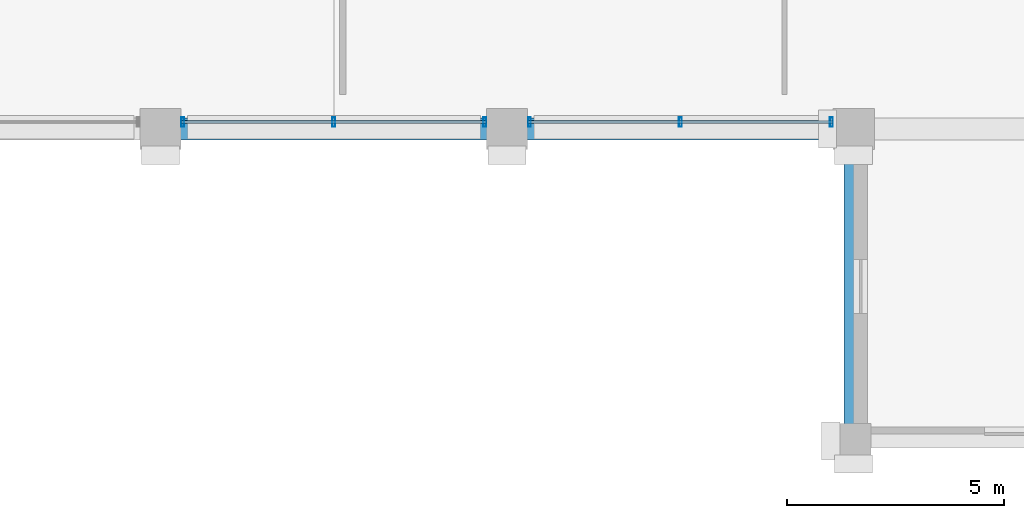
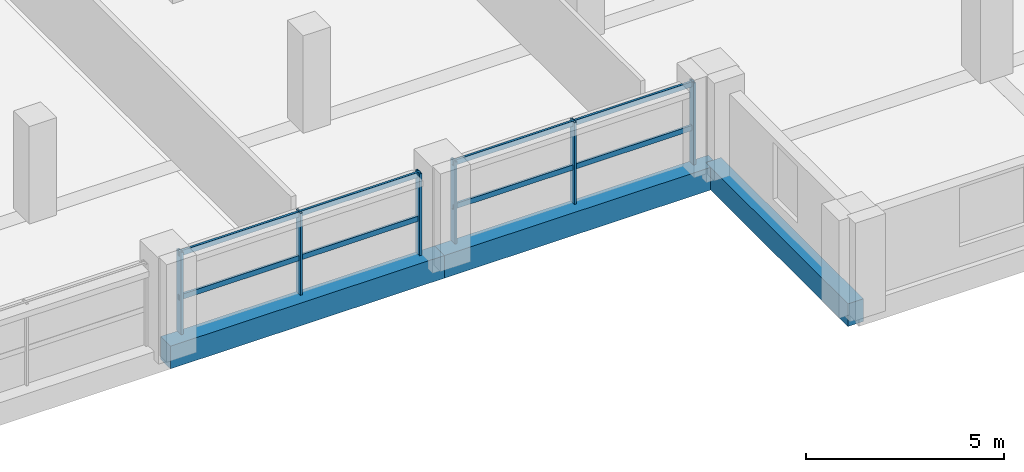
# One storey, part 6 of 21: 10 members, 3 beams, 2 elements without a shape of their own.
"""IFC4 building model written with IfcOpenShell, lengths in metres."""

from ifc_helpers import new_model, si_unit, direction, frame, origin, origin_2d, place, context, subcontext, project, spatial, rectangle, hollow_rectangle, extrude, material, material_profile, profile_set, type_object, element, aggregate, save


model = new_model("IFC4")

# Units and contexts
model_context = context("Model", 3, precision=1e-05, world=origin(), true_north=direction((0.0, 1.0)))
body_context = subcontext(model_context, "Body", "Model", "MODEL_VIEW")
ifc_project = project(units=[si_unit("LENGTHUNIT", "METRE"), si_unit("AREAUNIT", "SQUARE_METRE"), si_unit("VOLUMEUNIT", "CUBIC_METRE"), si_unit("PLANEANGLEUNIT", "RADIAN"), si_unit("MASSUNIT", "GRAM", prefix="KILO")], contexts=[model_context])

# Site, building, storey
site_placement = place(None, origin())
site = spatial("IfcSite", under=ifc_project, at=site_placement, CompositionType="ELEMENT")
building_placement = place(site_placement, origin())
building = spatial("IfcBuilding", under=site, at=building_placement, Name="Akrevak Sports Hall", CompositionType="ELEMENT")
storey_placement = place(building_placement, frame((0.0, 0.0, 37.300048828125)))
storey = spatial("IfcBuildingStorey", under=building, at=storey_placement, Name="L08", CompositionType="ELEMENT", Elevation=37.300048828125)

# Curtain wall, members
ifc_material_1 = material(Name="Anodized Bronze Aluminium & Low-E Glass", Category="aluminium")
curtain_wall_type = type_object("IfcCurtainWallType", Name="ARC-CW-TWR-72x30", PredefinedType="NOTDEFINED", material=ifc_material_1)
curtain_wall_1_placement = place(storey_placement, origin())
curtain_wall_1 = element("IfcCurtainWall", 1, at=curtain_wall_1_placement, inside=storey, type_object=curtain_wall_type, Name="Curtain Wall CW-L08-S06", PredefinedType="NOTDEFINED")
ifc_material_2 = material(Name="Anodized Bronze Aluminium", Category="aluminium")
ifc_material_profile_1 = material_profile(ifc_material_2, hollow_rectangle(XDim=0.06494140625, YDim=0.219970703125, WallThickness=0.00439453125, at=origin_2d()), Name="CWM 65x220", Category="aluminium")
ifc_profile_set_1 = profile_set([ifc_material_profile_1], Name="Anodized Bronze Aluminium")
member_type_1 = type_object("IfcMemberType", Name="ARC-CWM-70x160", PredefinedType="MULLION", material=ifc_profile_set_1)
member_1_placement = place(storey_placement, frame((76.514892578125, 28.9599609375, 0.0), z_axis=(0.0, 0.0, 1.0), x_axis=(1.0, 0.0, 0.0)))
member_1 = element("IfcMember", 2, at=member_1_placement, type_object=member_type_1, Name="Curtain Wall Mullion CW-L08-S06-M1", PredefinedType="MULLION", context=body_context, shape_type="SweptSolid", body=[
    extrude(hollow_rectangle(XDim=0.06494140625, YDim=0.219970703125, WallThickness=0.00439453125, at=origin_2d()), origin(), (0.0, 0.0, 1.0), 2.530029296875),
])
member_2_placement = place(storey_placement, frame((80.0, 28.9599609375, 0.0), z_axis=(0.0, 0.0, 1.0), x_axis=(1.0, 0.0, 0.0)))
member_2 = element("IfcMember", 3, at=member_2_placement, type_object=member_type_1, Name="Curtain Wall Mullion CW-L08-S06-M2", PredefinedType="MULLION", context=body_context, shape_type="SweptSolid", body=[
    extrude(hollow_rectangle(XDim=0.06494140625, YDim=0.219970703125, WallThickness=0.00439453125, at=origin_2d()), origin(), (0.0, 0.0, 1.0), 2.530029296875),
])
member_3_placement = place(storey_placement, frame((83.485107421875, 28.9599609375, 0.0), z_axis=(0.0, 0.0, 1.0), x_axis=(1.0, 0.0, 0.0)))
member_3 = element("IfcMember", 4, at=member_3_placement, type_object=member_type_1, Name="Curtain Wall Mullion CW-L08-S06-M3", PredefinedType="MULLION", context=body_context, shape_type="SweptSolid", body=[
    extrude(hollow_rectangle(XDim=0.06494140625, YDim=0.219970703125, WallThickness=0.00439453125, at=origin_2d()), origin(), (0.0, 0.0, 1.0), 2.530029296875),
])

curtain_wall_2_placement = place(storey_placement, origin())
curtain_wall_2 = element("IfcCurtainWall", 5, at=curtain_wall_2_placement, inside=storey, type_object=curtain_wall_type, Name="Curtain Wall CW-L08-S07", PredefinedType="NOTDEFINED")
member_4_placement = place(storey_placement, frame((84.514892578125, 28.9599609375, 0.0), z_axis=(0.0, 0.0, 1.0), x_axis=(1.0, 0.0, 0.0)))
member_4 = element("IfcMember", 6, at=member_4_placement, type_object=member_type_1, Name="Curtain Wall Mullion CW-L08-S07-M1", PredefinedType="MULLION", context=body_context, shape_type="SweptSolid", body=[
    extrude(hollow_rectangle(XDim=0.06494140625, YDim=0.219970703125, WallThickness=0.00439453125, at=origin_2d()), origin(), (0.0, 0.0, 1.0), 2.530029296875),
])
member_5_placement = place(storey_placement, frame((88.0, 28.9599609375, 0.0), z_axis=(0.0, 0.0, 1.0), x_axis=(1.0, 0.0, 0.0)))
member_5 = element("IfcMember", 7, at=member_5_placement, type_object=member_type_1, Name="Curtain Wall Mullion CW-L08-S07-M2", PredefinedType="MULLION", context=body_context, shape_type="SweptSolid", body=[
    extrude(hollow_rectangle(XDim=0.06494140625, YDim=0.219970703125, WallThickness=0.00439453125, at=origin_2d()), origin(), (0.0, 0.0, 1.0), 2.530029296875),
])
member_6_placement = place(storey_placement, frame((91.485107421875, 28.9599609375, 0.0), z_axis=(0.0, 0.0, 1.0), x_axis=(1.0, 0.0, 0.0)))
member_6 = element("IfcMember", 8, at=member_6_placement, type_object=member_type_1, Name="Curtain Wall Mullion CW-L08-S07-M3", PredefinedType="MULLION", context=body_context, shape_type="SweptSolid", body=[
    extrude(hollow_rectangle(XDim=0.06494140625, YDim=0.219970703125, WallThickness=0.00439453125, at=origin_2d()), origin(), (0.0, 0.0, 1.0), 2.530029296875),
])

# Member
ifc_material_profile_2 = material_profile(ifc_material_2, hollow_rectangle(XDim=0.06494140625, YDim=0.159912109375, WallThickness=0.00390625, at=origin_2d()), Name="CWT 65x160", Category="aluminium")
ifc_profile_set_2 = profile_set([ifc_material_profile_2], Name="Anodized Bronze Aluminium")
member_type_2 = type_object("IfcMemberType", Name="ARC-CWT-70x130", PredefinedType="USERDEFINED", material=ifc_profile_set_2)
member_7_placement = place(storey_placement, frame((76.47509765625, 28.9599609375, 1.099853515625), z_axis=(1.0, 0.0, 0.0), x_axis=(0.0, 1.0, 0.0)))
member_7 = element("IfcMember", 9, at=member_7_placement, type_object=member_type_2, Name="Curtain Wall Transom CW-L08-S06-T1", ObjectType="TRANSOM", PredefinedType="USERDEFINED", context=body_context, shape_type="SweptSolid", body=[
    extrude(hollow_rectangle(XDim=0.06494140625, YDim=0.159912109375, WallThickness=0.00390625, at=origin_2d()), origin(), (0.0, 0.0, 1.0), 7.0498046875),
])

member_8_placement = place(storey_placement, frame((76.47509765625, 28.9599609375, 2.449951171875), z_axis=(1.0, 0.0, 0.0), x_axis=(0.0, 1.0, 0.0)))
member_8 = element("IfcMember", 10, at=member_8_placement, type_object=member_type_2, Name="Curtain Wall Transom CW-L08-S06-T2", ObjectType="TRANSOM", PredefinedType="USERDEFINED", context=body_context, shape_type="SweptSolid", body=[
    extrude(hollow_rectangle(XDim=0.06494140625, YDim=0.159912109375, WallThickness=0.00390625, at=origin_2d()), origin(), (0.0, 0.0, 1.0), 7.0498046875),
])

aggregate(curtain_wall_1, [member_1, member_2, member_3, member_7, member_8])

member_9_placement = place(storey_placement, frame((84.47509765625, 28.9599609375, 1.099853515625), z_axis=(1.0, 0.0, 0.0), x_axis=(0.0, 1.0, 0.0)))
member_9 = element("IfcMember", 11, at=member_9_placement, type_object=member_type_2, Name="Curtain Wall Transom CW-L08-S07-T1", ObjectType="TRANSOM", PredefinedType="USERDEFINED", context=body_context, shape_type="SweptSolid", body=[
    extrude(hollow_rectangle(XDim=0.06494140625, YDim=0.159912109375, WallThickness=0.00390625, at=origin_2d()), origin(), (0.0, 0.0, 1.0), 7.0498046875),
])

member_10_placement = place(storey_placement, frame((84.47509765625, 28.9599609375, 2.449951171875), z_axis=(1.0, 0.0, 0.0), x_axis=(0.0, 1.0, 0.0)))
member_10 = element("IfcMember", 12, at=member_10_placement, type_object=member_type_2, Name="Curtain Wall Transom CW-L08-S07-T2", ObjectType="TRANSOM", PredefinedType="USERDEFINED", context=body_context, shape_type="SweptSolid", body=[
    extrude(hollow_rectangle(XDim=0.06494140625, YDim=0.159912109375, WallThickness=0.00390625, at=origin_2d()), origin(), (0.0, 0.0, 1.0), 7.0498046875),
])

aggregate(curtain_wall_2, [member_4, member_5, member_6, member_9, member_10])

# Beams
ifc_material_3 = material(Name="Concrete C40/50", Category="concrete")
ifc_material_profile_3 = material_profile(ifc_material_3, rectangle(XDim=0.449951171875, YDim=0.699951171875, at=origin_2d()), Name="BM 450x700", Category="concrete")
ifc_profile_set_3 = profile_set([ifc_material_profile_3], Name="Concrete C40/50")
beam_type_1 = type_object("IfcBeamType", Name="STR-BM-RC450x700", PredefinedType="BEAM", material=ifc_profile_set_3)
beam_placement = place(storey_placement, frame((92.0, 21.60009765625, -0.35009765625), z_axis=(0.0, 1.0, 0.0), x_axis=(-1.0, 0.0, 0.0)))
element("IfcBeam", 13, at=beam_placement, inside=storey, type_object=beam_type_1, Name="Girder 13/D-E (L08)", PredefinedType="BEAM", context=body_context, shape_type="SweptSolid", body=[
    extrude(rectangle(XDim=0.449951171875, YDim=0.699951171875, at=origin_2d()), origin(), (0.0, 0.0, 1.0), 7.199951171875),
])
ifc_material_profile_4 = material_profile(ifc_material_3, rectangle(XDim=0.5, YDim=0.699951171875, at=origin_2d()), Name="BM 500x700", Category="concrete")
ifc_profile_set_4 = profile_set([ifc_material_profile_4], Name="Concrete C40/50")
beam_type_2 = type_object("IfcBeamType", Name="STR-BM-RC500x700", PredefinedType="BEAM", material=ifc_profile_set_4)
for number, where, z_axis, x_axis, name in (
    (14, (76.0, 28.800048828125, -0.35009765625), (1.0, 0.0, 0.0), (0.0, 1.0, 0.0), "Girder E/11-12 (L08)"),
    (15, (84.0, 28.800048828125, -0.35009765625), (1.0, 0.0, 0.0), (0.0, 1.0, 0.0), "Girder E/12-13 (L08)"),
):
    element("IfcBeam", number, at=place(storey_placement, frame(where, z_axis=z_axis, x_axis=x_axis)), inside=storey, type_object=beam_type_2, Name=name, PredefinedType="BEAM", context=body_context, shape_type="SweptSolid", body=[
        extrude(rectangle(XDim=0.5, YDim=0.699951171875, at=origin_2d()), origin(), (0.0, 0.0, 1.0), 8.0),
    ])

save(model, "model.ifc")
